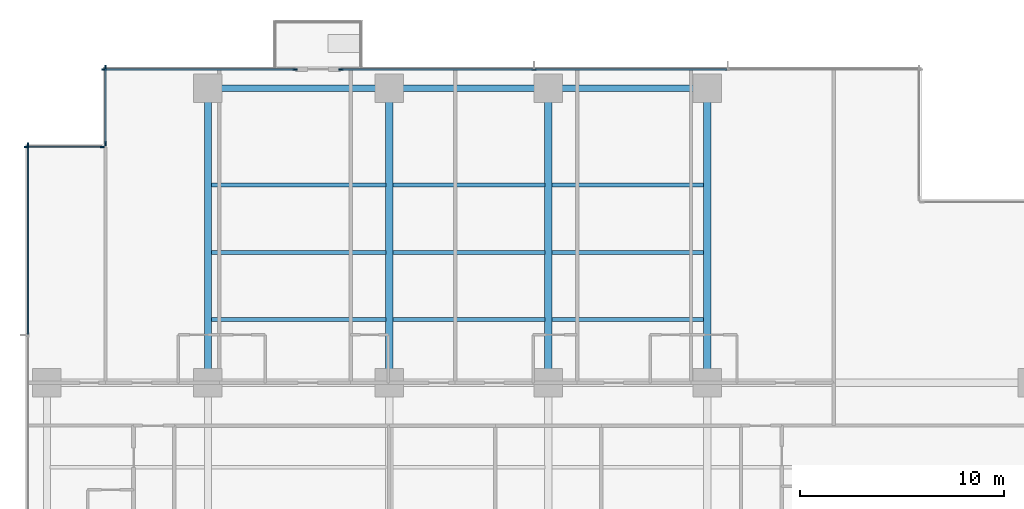
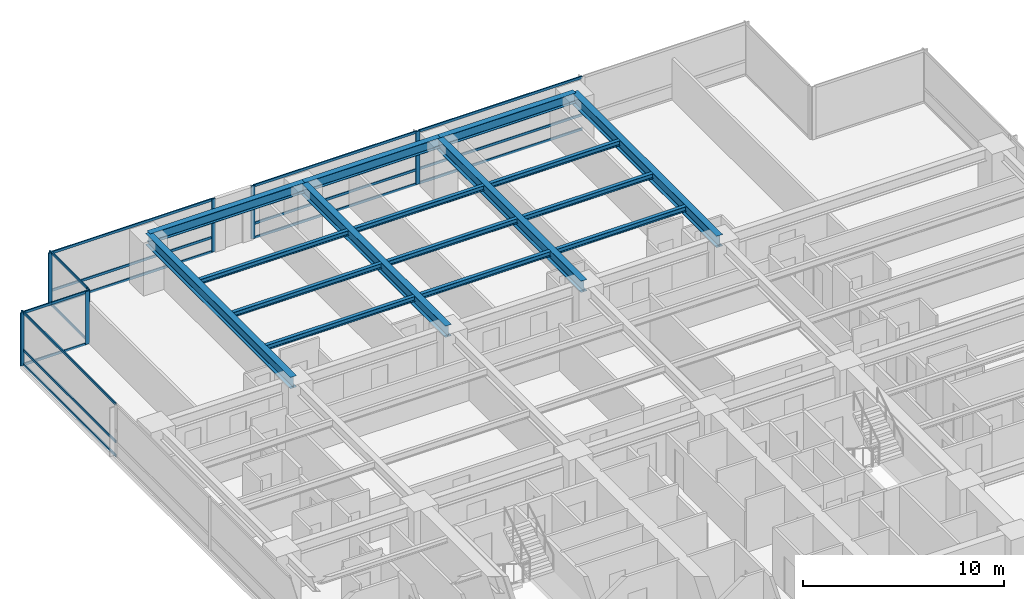
# One storey, part 4 of 18: 25 members, 16 beams, 5 elements without a shape of their own.
"""IFC4 building model written with IfcOpenShell, lengths in metres."""

from ifc_helpers import new_model, si_unit, direction, frame, origin, origin_2d, place, context, subcontext, project, spatial, rectangle, i_section, extrude, material, layer, layer_set, material_profile, profile_set, type_object, element, aggregate, save


model = new_model("IFC4")

# Units and contexts
model_context = context("Model", 3, precision=1e-05, world=origin(), true_north=direction((0.0, 1.0)))
body_context = subcontext(model_context, "Body", "Model", "MODEL_VIEW")
ifc_project = project(units=[si_unit("LENGTHUNIT", "METRE"), si_unit("AREAUNIT", "SQUARE_METRE"), si_unit("VOLUMEUNIT", "CUBIC_METRE"), si_unit("PLANEANGLEUNIT", "RADIAN"), si_unit("MASSUNIT", "GRAM", prefix="KILO")], contexts=[model_context])

# Site, building, storey
site_placement = place(None, origin())
site = spatial("IfcSite", under=ifc_project, at=site_placement, CompositionType="ELEMENT")
building_placement = place(site_placement, origin())
building = spatial("IfcBuilding", under=site, at=building_placement, Name="Qalmaran Belvedere Hotel", CompositionType="ELEMENT")
storey_placement = place(building_placement, frame((0.0, 0.0, 54.39990234375)))
storey = spatial("IfcBuildingStorey", under=building, at=storey_placement, Name="L13", CompositionType="ELEMENT", Elevation=54.39990234375)

# Beams
ifc_material_1 = material(Name="Steel S355JR", Category="steel")
ifc_material_profile_1 = material_profile(ifc_material_1, i_section(OverallWidth=0.202880859375, OverallDepth=0.302978515625, WebThickness=0.007568359375, FlangeThickness=0.01318359375, FilletRadius=0.012939453125, at=origin_2d()), Name="W310X60")
ifc_profile_set_1 = profile_set([ifc_material_profile_1], Name="Steel S355JR")
beam_type_1 = type_object("IfcBeamType", Name="BM-JST-W310X60", PredefinedType="JOIST", material=ifc_profile_set_1)
beam_1_placement = place(storey_placement, frame((20.4755859375, 36.10009765625, 3.068603515625), z_axis=(1.0, 0.0, 0.0), x_axis=(0.0, 1.0, 0.0)))
element("IfcBeam", 1, at=beam_1_placement, inside=storey, type_object=beam_type_1, Name="L13 North Floor Joist 042", PredefinedType="JOIST", context=body_context, shape_type="SweptSolid", body=[
    extrude(i_section(OverallWidth=0.202880859375, OverallDepth=0.302978515625, WebThickness=0.007568359375, FlangeThickness=0.01318359375, FilletRadius=0.012939453125, at=origin_2d()), origin(), (0.0, 0.0, 1.0), 8.548828125),
])
for number, where, z_axis, x_axis, name in (
    (2, (29.37548828125, 36.10009765625, 3.068603515625), (1.0, 0.0, 0.0), (0.0, 1.0, 0.0), "L13 North Floor Joist 043"),
    (3, (37.175537109375, 36.10009765625, 3.068603515625), (1.0, 0.0, 0.0), (0.0, 1.0, 0.0), "L13 North Floor Joist 044"),
):
    element("IfcBeam", number, at=place(storey_placement, frame(where, z_axis=z_axis, x_axis=x_axis)), inside=storey, type_object=beam_type_1, Name=name, PredefinedType="JOIST", context=body_context, shape_type="SweptSolid", body=[
        extrude(i_section(OverallWidth=0.202880859375, OverallDepth=0.302978515625, WebThickness=0.007568359375, FlangeThickness=0.01318359375, FilletRadius=0.012939453125, at=origin_2d()), origin(), (0.0, 0.0, 1.0), 7.448974609375),
    ])
beam_2_placement = place(storey_placement, frame((20.4755859375, 39.39990234375, 3.068603515625), z_axis=(1.0, 0.0, 0.0), x_axis=(0.0, 1.0, 0.0)))
element("IfcBeam", 4, at=beam_2_placement, inside=storey, type_object=beam_type_1, Name="L13 North Floor Joist 045", PredefinedType="JOIST", context=body_context, shape_type="SweptSolid", body=[
    extrude(i_section(OverallWidth=0.202880859375, OverallDepth=0.302978515625, WebThickness=0.007568359375, FlangeThickness=0.01318359375, FilletRadius=0.012939453125, at=origin_2d()), origin(), (0.0, 0.0, 1.0), 8.548828125),
])
for number, where, z_axis, x_axis, name in (
    (5, (29.37548828125, 39.39990234375, 3.068603515625), (1.0, 0.0, 0.0), (0.0, 1.0, 0.0), "L13 North Floor Joist 046"),
    (6, (37.175537109375, 39.39990234375, 3.068603515625), (1.0, 0.0, 0.0), (0.0, 1.0, 0.0), "L13 North Floor Joist 047"),
):
    element("IfcBeam", number, at=place(storey_placement, frame(where, z_axis=z_axis, x_axis=x_axis)), inside=storey, type_object=beam_type_1, Name=name, PredefinedType="JOIST", context=body_context, shape_type="SweptSolid", body=[
        extrude(i_section(OverallWidth=0.202880859375, OverallDepth=0.302978515625, WebThickness=0.007568359375, FlangeThickness=0.01318359375, FilletRadius=0.012939453125, at=origin_2d()), origin(), (0.0, 0.0, 1.0), 7.448974609375),
    ])
beam_3_placement = place(storey_placement, frame((20.4755859375, 42.699951171875, 3.068603515625), z_axis=(1.0, 0.0, 0.0), x_axis=(0.0, 1.0, 0.0)))
element("IfcBeam", 7, at=beam_3_placement, inside=storey, type_object=beam_type_1, Name="L13 North Floor Joist 048", PredefinedType="JOIST", context=body_context, shape_type="SweptSolid", body=[
    extrude(i_section(OverallWidth=0.202880859375, OverallDepth=0.302978515625, WebThickness=0.007568359375, FlangeThickness=0.01318359375, FilletRadius=0.012939453125, at=origin_2d()), origin(), (0.0, 0.0, 1.0), 8.548828125),
])
for number, where, z_axis, x_axis, name in (
    (8, (29.37548828125, 42.699951171875, 3.068603515625), (1.0, 0.0, 0.0), (0.0, 1.0, 0.0), "L13 North Floor Joist 049"),
    (9, (37.175537109375, 42.699951171875, 3.068603515625), (1.0, 0.0, 0.0), (0.0, 1.0, 0.0), "L13 North Floor Joist 050"),
):
    element("IfcBeam", number, at=place(storey_placement, frame(where, z_axis=z_axis, x_axis=x_axis)), inside=storey, type_object=beam_type_1, Name=name, PredefinedType="JOIST", context=body_context, shape_type="SweptSolid", body=[
        extrude(i_section(OverallWidth=0.202880859375, OverallDepth=0.302978515625, WebThickness=0.007568359375, FlangeThickness=0.01318359375, FilletRadius=0.012939453125, at=origin_2d()), origin(), (0.0, 0.0, 1.0), 7.448974609375),
    ])
ifc_material_profile_2 = material_profile(ifc_material_1, i_section(OverallWidth=0.326904296875, OverallDepth=0.6220703125, WebThickness=0.015380859375, FlangeThickness=0.0244140625, FilletRadius=0.02001953125, at=origin_2d()), Name="W610X195")
ifc_profile_set_2 = profile_set([ifc_material_profile_2], Name="Steel S355JR")
beam_type_2 = type_object("IfcBeamType", Name="BM-SP1-W610X195", PredefinedType="SPANDREL", material=ifc_profile_set_2)
beam_4_placement = place(storey_placement, frame((20.300048828125, 47.449951171875, 2.9091796875), z_axis=(1.0, 0.0, 0.0), x_axis=(0.0, 1.0, 0.0)))
element("IfcBeam", 10, at=beam_4_placement, inside=storey, type_object=beam_type_2, Name="L13 Perimeter Spandrel 05", PredefinedType="SPANDREL", context=body_context, shape_type="SweptSolid", body=[
    extrude(i_section(OverallWidth=0.326904296875, OverallDepth=0.6220703125, WebThickness=0.015380859375, FlangeThickness=0.0244140625, FilletRadius=0.02001953125, at=origin_2d()), origin(), (0.0, 0.0, 1.0), 8.89990234375),
])
for number, where, z_axis, x_axis, name in (
    (11, (29.199951171875, 47.449951171875, 2.9091796875), (1.0, 0.0, 0.0), (0.0, 1.0, 0.0), "L13 Perimeter Spandrel 06"),
    (12, (37.0, 47.449951171875, 2.9091796875), (1.0, 0.0, 0.0), (0.0, 1.0, 0.0), "L13 Perimeter Spandrel 07"),
):
    element("IfcBeam", number, at=place(storey_placement, frame(where, z_axis=z_axis, x_axis=x_axis)), inside=storey, type_object=beam_type_2, Name=name, PredefinedType="SPANDREL", context=body_context, shape_type="SweptSolid", body=[
        extrude(i_section(OverallWidth=0.326904296875, OverallDepth=0.6220703125, WebThickness=0.015380859375, FlangeThickness=0.0244140625, FilletRadius=0.02001953125, at=origin_2d()), origin(), (0.0, 0.0, 1.0), 7.800048828125),
    ])
ifc_material_profile_3 = material_profile(ifc_material_1, i_section(OverallWidth=0.35498046875, OverallDepth=0.695068359375, WebThickness=0.015380859375, FlangeThickness=0.02490234375, FilletRadius=0.02197265625, at=origin_2d()), Name="W690X217")
ifc_profile_set_3 = profile_set([ifc_material_profile_3], Name="Steel S355JR")
beam_type_3 = type_object("IfcBeamType", Name="BM-Z1-W690X217", PredefinedType="USERDEFINED", material=ifc_profile_set_3)
for number, where, z_axis, x_axis, name in (
    (13, (20.300048828125, 33.0, 2.87255859375), (0.0, 1.0, 0.0), (-1.0, 0.0, 0.0), "L13 North Bay Girder 15"),
    (14, (29.199951171875, 33.0, 2.87255859375), (0.0, 1.0, 0.0), (-1.0, 0.0, 0.0), "L13 North Bay Girder 17"),
    (15, (37.0, 33.0, 2.87255859375), (0.0, 1.0, 0.0), (-1.0, 0.0, 0.0), "L13 North Bay Girder 19"),
    (16, (44.800048828125, 33.0, 2.87255859375), (0.0, 1.0, 0.0), (-1.0, 0.0, 0.0), "L13 North Bay Girder 21"),
):
    element("IfcBeam", number, at=place(storey_placement, frame(where, z_axis=z_axis, x_axis=x_axis)), inside=storey, type_object=beam_type_3, Name=name, ObjectType="GIRDER", PredefinedType="USERDEFINED", context=body_context, shape_type="SweptSolid", body=[
        extrude(i_section(OverallWidth=0.35498046875, OverallDepth=0.695068359375, WebThickness=0.015380859375, FlangeThickness=0.02490234375, FilletRadius=0.02197265625, at=origin_2d()), origin(), (0.0, 0.0, 1.0), 14.449951171875),
    ])

# Curtain wall, members
ifc_material_2 = material(Name="Anodised Bronze Aluminium", Category="aluminium")
ifc_layer = layer(ifc_material_2, 0.2099609375, Name="Anodised Bronze Aluminium")
ifc_layer_set = layer_set([ifc_layer], Name="Anodised Bronze Aluminium")
curtain_wall_type = type_object("IfcCurtainWallType", Name="CW2-TOWER-LOWER", PredefinedType="NOTDEFINED", material=ifc_layer_set)
curtain_wall_1_placement = place(storey_placement, origin())
curtain_wall_1 = element("IfcCurtainWall", 17, at=curtain_wall_1_placement, inside=storey, type_object=curtain_wall_type, Name="L13 Curtain Wall CW2", PredefinedType="NOTDEFINED")
ifc_material_profile_4 = material_profile(ifc_material_2, rectangle(XDim=0.074951171875, YDim=0.219970703125, at=origin_2d()), Name="CWM75X220")
ifc_profile_set_4 = profile_set([ifc_material_profile_4], Name="Anodised Bronze Aluminium")
member_type_1 = type_object("IfcMemberType", Name="CWM-75X220", PredefinedType="MULLION", material=ifc_profile_set_4)
member_1_placement = place(storey_placement, frame((24.5625, 48.3798828125, 0.0), z_axis=(0.0, 0.0, 1.0), x_axis=(0.0, -1.0, 0.0)))
member_1 = element("IfcMember", 18, at=member_1_placement, type_object=member_type_1, Name="CW2 mullion 1", PredefinedType="MULLION", context=body_context, shape_type="SweptSolid", body=[
    extrude(rectangle(XDim=0.074951171875, YDim=0.219970703125, at=origin_2d()), origin(), (0.0, 0.0, 1.0), 3.22021484375),
])
member_2_placement = place(storey_placement, frame((15.1875, 48.3798828125, 0.0), z_axis=(0.0, 0.0, 1.0), x_axis=(0.0, -1.0, 0.0)))
member_2 = element("IfcMember", 19, at=member_2_placement, type_object=member_type_1, Name="CW2 mullion 2", PredefinedType="MULLION", context=body_context, shape_type="SweptSolid", body=[
    extrude(rectangle(XDim=0.074951171875, YDim=0.219970703125, at=origin_2d()), origin(), (0.0, 0.0, 1.0), 3.22021484375),
])

curtain_wall_2_placement = place(storey_placement, origin())
curtain_wall_2 = element("IfcCurtainWall", 20, at=curtain_wall_2_placement, inside=storey, type_object=curtain_wall_type, Name="L13 Curtain Wall CW2", PredefinedType="NOTDEFINED")
member_3_placement = place(storey_placement, frame((36.300048828125, 48.3798828125, 0.0), z_axis=(0.0, 0.0, 1.0), x_axis=(0.0, -1.0, 0.0)))
member_3 = element("IfcMember", 21, at=member_3_placement, type_object=member_type_1, Name="CW2 mullion 3", PredefinedType="MULLION", context=body_context, shape_type="SweptSolid", body=[
    extrude(rectangle(XDim=0.074951171875, YDim=0.219970703125, at=origin_2d()), origin(), (0.0, 0.0, 1.0), 3.22021484375),
])
member_4_placement = place(storey_placement, frame((26.83740234375, 48.3798828125, 0.0), z_axis=(0.0, 0.0, 1.0), x_axis=(0.0, -1.0, 0.0)))
member_4 = element("IfcMember", 22, at=member_4_placement, type_object=member_type_1, Name="CW2 mullion 4", PredefinedType="MULLION", context=body_context, shape_type="SweptSolid", body=[
    extrude(rectangle(XDim=0.074951171875, YDim=0.219970703125, at=origin_2d()), origin(), (0.0, 0.0, 1.0), 3.22021484375),
])

curtain_wall_3_placement = place(storey_placement, origin())
curtain_wall_3 = element("IfcCurtainWall", 23, at=curtain_wall_3_placement, inside=storey, type_object=curtain_wall_type, Name="L13 Curtain Wall CW2", PredefinedType="NOTDEFINED")
member_5_placement = place(storey_placement, frame((15.27001953125, 48.46240234375, 0.0), z_axis=(0.0, 0.0, 1.0), x_axis=(1.0, 0.0, 0.0)))
member_5 = element("IfcMember", 24, at=member_5_placement, type_object=member_type_1, Name="CW2 mullion 1", PredefinedType="MULLION", context=body_context, shape_type="SweptSolid", body=[
    extrude(rectangle(XDim=0.074951171875, YDim=0.219970703125, at=origin_2d()), origin(), (0.0, 0.0, 1.0), 3.22021484375),
])
member_6_placement = place(storey_placement, frame((15.27001953125, 44.737548828125, 0.0), z_axis=(0.0, 0.0, 1.0), x_axis=(1.0, 0.0, 0.0)))
member_6 = element("IfcMember", 25, at=member_6_placement, type_object=member_type_1, Name="CW2 mullion 2", PredefinedType="MULLION", context=body_context, shape_type="SweptSolid", body=[
    extrude(rectangle(XDim=0.074951171875, YDim=0.219970703125, at=origin_2d()), origin(), (0.0, 0.0, 1.0), 3.22021484375),
])

curtain_wall_4_placement = place(storey_placement, origin())
curtain_wall_4 = element("IfcCurtainWall", 26, at=curtain_wall_4_placement, inside=storey, type_object=curtain_wall_type, Name="L13 Curtain Wall CW2", PredefinedType="NOTDEFINED")
member_7_placement = place(storey_placement, frame((15.112548828125, 44.580078125, 0.0), z_axis=(0.0, 0.0, 1.0), x_axis=(0.0, -1.0, 0.0)))
member_7 = element("IfcMember", 27, at=member_7_placement, type_object=member_type_1, Name="CW2 mullion 1", PredefinedType="MULLION", context=body_context, shape_type="SweptSolid", body=[
    extrude(rectangle(XDim=0.074951171875, YDim=0.219970703125, at=origin_2d()), origin(), (0.0, 0.0, 1.0), 3.22021484375),
])
member_8_placement = place(storey_placement, frame((11.387451171875, 44.580078125, 0.0), z_axis=(0.0, 0.0, 1.0), x_axis=(0.0, -1.0, 0.0)))
member_8 = element("IfcMember", 28, at=member_8_placement, type_object=member_type_1, Name="CW2 mullion 2", PredefinedType="MULLION", context=body_context, shape_type="SweptSolid", body=[
    extrude(rectangle(XDim=0.074951171875, YDim=0.219970703125, at=origin_2d()), origin(), (0.0, 0.0, 1.0), 3.22021484375),
])

# Curtain wall, member
curtain_wall_5_placement = place(storey_placement, origin())
curtain_wall_5 = element("IfcCurtainWall", 29, at=curtain_wall_5_placement, inside=storey, type_object=curtain_wall_type, Name="L13 Curtain Wall CW2", PredefinedType="NOTDEFINED")
member_9_placement = place(storey_placement, frame((11.469970703125, 44.66259765625, 0.0), z_axis=(0.0, 0.0, 1.0), x_axis=(1.0, 0.0, 0.0)))
member_9 = element("IfcMember", 30, at=member_9_placement, type_object=member_type_1, Name="CW2 mullion 1", PredefinedType="MULLION", context=body_context, shape_type="SweptSolid", body=[
    extrude(rectangle(XDim=0.074951171875, YDim=0.219970703125, at=origin_2d()), origin(), (0.0, 0.0, 1.0), 3.22021484375),
])

# Member
ifc_material_profile_5 = material_profile(ifc_material_2, rectangle(XDim=0.070068359375, YDim=0.14990234375, at=origin_2d()), Name="CWT70X150")
ifc_profile_set_5 = profile_set([ifc_material_profile_5], Name="Anodised Bronze Aluminium")
member_type_2 = type_object("IfcMemberType", Name="CWT-70X150", PredefinedType="USERDEFINED", material=ifc_profile_set_5)
member_10_placement = place(storey_placement, frame((24.52490234375, 48.3798828125, 0.03515625), z_axis=(-1.0, 0.0, 0.0), x_axis=(0.0, -1.0, 0.0)))
member_10 = element("IfcMember", 31, at=member_10_placement, type_object=member_type_2, Name="CW2 transom 1.1", ObjectType="TRANSOM", PredefinedType="USERDEFINED", context=body_context, shape_type="SweptSolid", body=[
    extrude(rectangle(XDim=0.070068359375, YDim=0.14990234375, at=origin_2d()), origin(), (0.0, 0.0, 1.0), 9.2998046875),
])

member_11_placement = place(storey_placement, frame((24.52490234375, 48.3798828125, 0.901611328125), z_axis=(-1.0, 0.0, 0.0), x_axis=(0.0, -1.0, 0.0)))
member_11 = element("IfcMember", 32, at=member_11_placement, type_object=member_type_2, Name="CW2 transom 1.2", ObjectType="TRANSOM", PredefinedType="USERDEFINED", context=body_context, shape_type="SweptSolid", body=[
    extrude(rectangle(XDim=0.070068359375, YDim=0.14990234375, at=origin_2d()), origin(), (0.0, 0.0, 1.0), 9.2998046875),
])

member_12_placement = place(storey_placement, frame((24.52490234375, 48.3798828125, 3.18505859375), z_axis=(-1.0, 0.0, 0.0), x_axis=(0.0, -1.0, 0.0)))
member_12 = element("IfcMember", 33, at=member_12_placement, type_object=member_type_2, Name="CW2 transom 1.3", ObjectType="TRANSOM", PredefinedType="USERDEFINED", context=body_context, shape_type="SweptSolid", body=[
    extrude(rectangle(XDim=0.070068359375, YDim=0.14990234375, at=origin_2d()), origin(), (0.0, 0.0, 1.0), 9.2998046875),
])

aggregate(curtain_wall_1, [member_1, member_2, member_10, member_11, member_12])

member_13_placement = place(storey_placement, frame((45.762451171875, 48.3798828125, 0.03515625), z_axis=(-1.0, 0.0, 0.0), x_axis=(0.0, -1.0, 0.0)))
member_13 = element("IfcMember", 34, at=member_13_placement, type_object=member_type_2, Name="CW2 transom 2.1", ObjectType="TRANSOM", PredefinedType="USERDEFINED", context=body_context, shape_type="SweptSolid", body=[
    extrude(rectangle(XDim=0.070068359375, YDim=0.14990234375, at=origin_2d()), origin(), (0.0, 0.0, 1.0), 9.425048828125),
])

member_14_placement = place(storey_placement, frame((45.762451171875, 48.3798828125, 0.901611328125), z_axis=(-1.0, 0.0, 0.0), x_axis=(0.0, -1.0, 0.0)))
member_14 = element("IfcMember", 35, at=member_14_placement, type_object=member_type_2, Name="CW2 transom 2.2", ObjectType="TRANSOM", PredefinedType="USERDEFINED", context=body_context, shape_type="SweptSolid", body=[
    extrude(rectangle(XDim=0.070068359375, YDim=0.14990234375, at=origin_2d()), origin(), (0.0, 0.0, 1.0), 9.425048828125),
])

member_15_placement = place(storey_placement, frame((45.762451171875, 48.3798828125, 3.18505859375), z_axis=(-1.0, 0.0, 0.0), x_axis=(0.0, -1.0, 0.0)))
member_15 = element("IfcMember", 36, at=member_15_placement, type_object=member_type_2, Name="CW2 transom 2.3", ObjectType="TRANSOM", PredefinedType="USERDEFINED", context=body_context, shape_type="SweptSolid", body=[
    extrude(rectangle(XDim=0.070068359375, YDim=0.14990234375, at=origin_2d()), origin(), (0.0, 0.0, 1.0), 9.425048828125),
])

member_16_placement = place(storey_placement, frame((36.262451171875, 48.3798828125, 0.03515625), z_axis=(-1.0, 0.0, 0.0), x_axis=(0.0, -1.0, 0.0)))
member_16 = element("IfcMember", 37, at=member_16_placement, type_object=member_type_2, Name="CW2 transom 3.1", ObjectType="TRANSOM", PredefinedType="USERDEFINED", context=body_context, shape_type="SweptSolid", body=[
    extrude(rectangle(XDim=0.070068359375, YDim=0.14990234375, at=origin_2d()), origin(), (0.0, 0.0, 1.0), 9.387451171875),
])

member_17_placement = place(storey_placement, frame((36.262451171875, 48.3798828125, 0.901611328125), z_axis=(-1.0, 0.0, 0.0), x_axis=(0.0, -1.0, 0.0)))
member_17 = element("IfcMember", 38, at=member_17_placement, type_object=member_type_2, Name="CW2 transom 3.2", ObjectType="TRANSOM", PredefinedType="USERDEFINED", context=body_context, shape_type="SweptSolid", body=[
    extrude(rectangle(XDim=0.070068359375, YDim=0.14990234375, at=origin_2d()), origin(), (0.0, 0.0, 1.0), 9.387451171875),
])

member_18_placement = place(storey_placement, frame((36.262451171875, 48.3798828125, 3.18505859375), z_axis=(-1.0, 0.0, 0.0), x_axis=(0.0, -1.0, 0.0)))
member_18 = element("IfcMember", 39, at=member_18_placement, type_object=member_type_2, Name="CW2 transom 3.3", ObjectType="TRANSOM", PredefinedType="USERDEFINED", context=body_context, shape_type="SweptSolid", body=[
    extrude(rectangle(XDim=0.070068359375, YDim=0.14990234375, at=origin_2d()), origin(), (0.0, 0.0, 1.0), 9.387451171875),
])

aggregate(curtain_wall_2, [member_3, member_4, member_13, member_14, member_15, member_16, member_17, member_18])

member_19_placement = place(storey_placement, frame((15.27001953125, 48.425048828125, 0.03515625), z_axis=(0.0, -1.0, 0.0), x_axis=(1.0, 0.0, 0.0)))
member_19 = element("IfcMember", 40, at=member_19_placement, type_object=member_type_2, Name="CW2 transom 1.1", ObjectType="TRANSOM", PredefinedType="USERDEFINED", context=body_context, shape_type="SweptSolid", body=[
    extrude(rectangle(XDim=0.070068359375, YDim=0.14990234375, at=origin_2d()), origin(), (0.0, 0.0, 1.0), 3.650146484375),
])

member_20_placement = place(storey_placement, frame((15.27001953125, 48.425048828125, 3.18505859375), z_axis=(0.0, -1.0, 0.0), x_axis=(1.0, 0.0, 0.0)))
member_20 = element("IfcMember", 41, at=member_20_placement, type_object=member_type_2, Name="CW2 transom 1.2", ObjectType="TRANSOM", PredefinedType="USERDEFINED", context=body_context, shape_type="SweptSolid", body=[
    extrude(rectangle(XDim=0.070068359375, YDim=0.14990234375, at=origin_2d()), origin(), (0.0, 0.0, 1.0), 3.650146484375),
])

aggregate(curtain_wall_3, [member_5, member_6, member_19, member_20])

member_21_placement = place(storey_placement, frame((15.074951171875, 44.580078125, 0.03515625), z_axis=(-1.0, 0.0, 0.0), x_axis=(0.0, -1.0, 0.0)))
member_21 = element("IfcMember", 42, at=member_21_placement, type_object=member_type_2, Name="CW2 transom 1.1", ObjectType="TRANSOM", PredefinedType="USERDEFINED", context=body_context, shape_type="SweptSolid", body=[
    extrude(rectangle(XDim=0.070068359375, YDim=0.14990234375, at=origin_2d()), origin(), (0.0, 0.0, 1.0), 3.64990234375),
])

member_22_placement = place(storey_placement, frame((15.074951171875, 44.580078125, 3.18505859375), z_axis=(-1.0, 0.0, 0.0), x_axis=(0.0, -1.0, 0.0)))
member_22 = element("IfcMember", 43, at=member_22_placement, type_object=member_type_2, Name="CW2 transom 1.2", ObjectType="TRANSOM", PredefinedType="USERDEFINED", context=body_context, shape_type="SweptSolid", body=[
    extrude(rectangle(XDim=0.070068359375, YDim=0.14990234375, at=origin_2d()), origin(), (0.0, 0.0, 1.0), 3.64990234375),
])

aggregate(curtain_wall_4, [member_7, member_8, member_21, member_22])

member_23_placement = place(storey_placement, frame((11.469970703125, 44.625, 0.03515625), z_axis=(0.0, -1.0, 0.0), x_axis=(1.0, 0.0, 0.0)))
member_23 = element("IfcMember", 44, at=member_23_placement, type_object=member_type_2, Name="CW2 transom 1.1", ObjectType="TRANSOM", PredefinedType="USERDEFINED", context=body_context, shape_type="SweptSolid", body=[
    extrude(rectangle(XDim=0.070068359375, YDim=0.14990234375, at=origin_2d()), origin(), (0.0, 0.0, 1.0), 9.237548828125),
])

member_24_placement = place(storey_placement, frame((11.469970703125, 44.625, 0.901611328125), z_axis=(0.0, -1.0, 0.0), x_axis=(1.0, 0.0, 0.0)))
member_24 = element("IfcMember", 45, at=member_24_placement, type_object=member_type_2, Name="CW2 transom 1.2", ObjectType="TRANSOM", PredefinedType="USERDEFINED", context=body_context, shape_type="SweptSolid", body=[
    extrude(rectangle(XDim=0.070068359375, YDim=0.14990234375, at=origin_2d()), origin(), (0.0, 0.0, 1.0), 9.237548828125),
])

member_25_placement = place(storey_placement, frame((11.469970703125, 44.625, 3.18505859375), z_axis=(0.0, -1.0, 0.0), x_axis=(1.0, 0.0, 0.0)))
member_25 = element("IfcMember", 46, at=member_25_placement, type_object=member_type_2, Name="CW2 transom 1.3", ObjectType="TRANSOM", PredefinedType="USERDEFINED", context=body_context, shape_type="SweptSolid", body=[
    extrude(rectangle(XDim=0.070068359375, YDim=0.14990234375, at=origin_2d()), origin(), (0.0, 0.0, 1.0), 9.237548828125),
])

aggregate(curtain_wall_5, [member_9, member_23, member_24, member_25])

save(model, "model.ifc")
